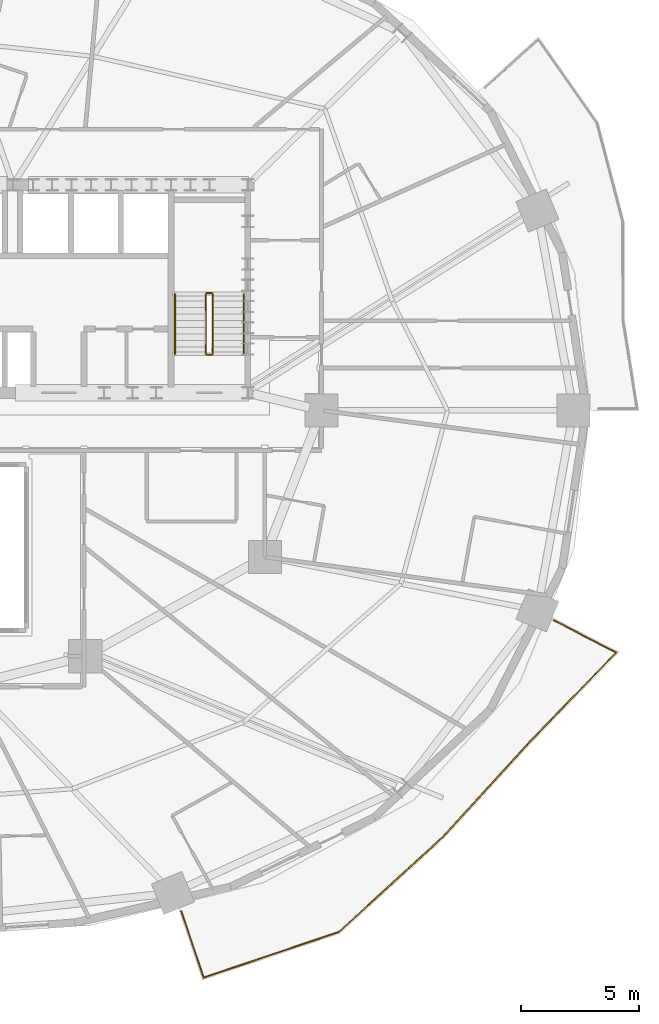
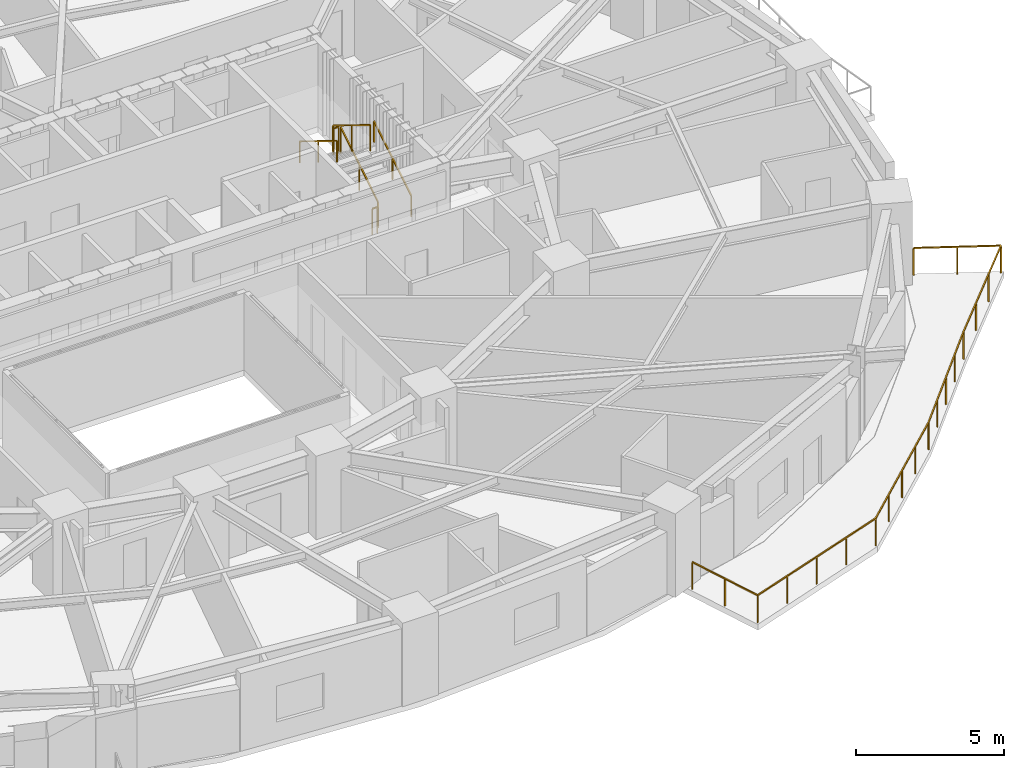
# One storey, part 15 of 16: 7 railings.
"""IFC4 building model written with IfcOpenShell, lengths in metres."""

from ifc_helpers import new_model, si_unit, direction, frame, origin, origin_2d, place, context, subcontext, project, spatial, rectangle, extrude, material, type_object, element, save


model = new_model("IFC4")

# Units and contexts
model_context = context("Model", 3, precision=1e-05, world=origin(), true_north=direction((0.0, 1.0)))
body_context = subcontext(model_context, "Body", "Model", "MODEL_VIEW")
ifc_project = project(units=[si_unit("LENGTHUNIT", "METRE"), si_unit("AREAUNIT", "SQUARE_METRE"), si_unit("VOLUMEUNIT", "CUBIC_METRE"), si_unit("PLANEANGLEUNIT", "RADIAN"), si_unit("MASSUNIT", "GRAM", prefix="KILO")], contexts=[model_context])

# Site, building, storey
site_placement = place(None, origin())
site = spatial("IfcSite", under=ifc_project, at=site_placement, CompositionType="ELEMENT")
building_placement = place(site_placement, origin())
building = spatial("IfcBuilding", under=site, at=building_placement, Name="Haldorwick Loom Tower", CompositionType="ELEMENT")
storey_placement = place(building_placement, frame((0.0, 0.0, 88.699951171875)))
storey = spatial("IfcBuildingStorey", under=building, at=storey_placement, Name="L23", CompositionType="ELEMENT", Elevation=88.699951171875)

# Railings
ifc_material_1 = material(Name="Galvanized Steel CSA G40.21 350W", Category="steel")
railing_type_1 = type_object("IfcRailingType", Name="ARC-RLG-BAL115", PredefinedType="BALUSTRADE", material=ifc_material_1)
railing_1_placement = place(storey_placement, frame((63.02685546875, 17.119384765625, 0.0)))
element("IfcRailing", 1, at=railing_1_placement, inside=storey, type_object=railing_type_1, Name="L23 Outdoor Terrace Guardrail SLB-L23-BAL_SE-1", PredefinedType="BALUSTRADE", context=body_context, shape_type="SweptSolid", body=[
    extrude(rectangle(XDim=0.048095703125, YDim=0.048095703125, at=origin_2d()), frame((0.0, 0.0, 1.1259765625), z_axis=(0.888522136362, -0.458833753331, 0.0), x_axis=(0.458833753331, 0.888522136362, 0.0)), (0.0, 0.0, 1.0), 2.96533203125),
    extrude(rectangle(XDim=0.048095703125, YDim=0.048095703125, at=origin_2d()), frame((2.634765625, -1.360595703125, 1.1259765625), z_axis=(-0.694679962098, -0.719318948909, 0.0), x_axis=(0.719318948909, -0.694679962098, 0.0)), (0.0, 0.0, 1.0), 5.251708984375),
    extrude(rectangle(XDim=0.048095703125, YDim=0.048095703125, at=origin_2d()), frame((-1.013427734375, -5.13818359375, 1.1259765625), z_axis=(-0.707106781187, -0.707106781187, 0.0), x_axis=(0.707106781187, -0.707106781187, 0.0)), (0.0, 0.0, 1.0), 0.001953125),
    extrude(rectangle(XDim=0.048095703125, YDim=0.048095703125, at=origin_2d()), frame((-1.014892578125, -5.1396484375, 1.1259765625), z_axis=(-0.675251329949, -0.737587717768, 0.0), x_axis=(0.737587717768, -0.675251329949, 0.0)), (0.0, 0.0, 1.0), 5.467529296875),
    extrude(rectangle(XDim=0.048095703125, YDim=0.048095703125, at=origin_2d()), frame((-4.706787109375, -9.17236328125, 1.1259765625), z_axis=(-0.73778494617, -0.675035831053, 0.0), x_axis=(0.675035831053, -0.73778494617, 0.0)), (0.0, 0.0, 1.0), 5.941162109375),
    extrude(rectangle(XDim=0.048095703125, YDim=0.048095703125, at=origin_2d()), frame((-9.090087890625, -13.182861328125, 1.1259765625), z_axis=(-0.947542872121, -0.319628699419, 0.0), x_axis=(0.319628699419, -0.947542872121, 0.0)), (0.0, 0.0, 1.0), 6.0478515625),
    extrude(rectangle(XDim=0.048095703125, YDim=0.048095703125, at=origin_2d()), frame((-14.82080078125, -15.115966796875, 1.1259765625), z_axis=(-0.316574811994, 0.948567545518, 0.0), x_axis=(-0.948567545518, -0.316574811994, 0.0)), (0.0, 0.0, 1.0), 2.954345703125),
    extrude(rectangle(XDim=0.0419921875, YDim=0.0419921875, at=origin_2d()), origin(), (0.0, 0.0, 1.0), 1.101806640625),
    extrude(rectangle(XDim=0.0419921875, YDim=0.0419921875, at=origin_2d()), frame((1.3173828125, -0.68017578125, 0.0)), (0.0, 0.0, 1.0), 1.101806640625),
    extrude(rectangle(XDim=0.0419921875, YDim=0.0419921875, at=origin_2d()), frame((2.634765625, -1.360595703125, 0.0)), (0.0, 0.0, 1.0), 1.101806640625),
    extrude(rectangle(XDim=0.0419921875, YDim=0.0419921875, at=origin_2d()), frame((1.418701171875, -2.619873046875, 0.0)), (0.0, 0.0, 1.0), 1.101806640625),
    extrude(rectangle(XDim=0.0419921875, YDim=0.0419921875, at=origin_2d()), frame((0.20263671875, -3.87890625, 0.0)), (0.0, 0.0, 1.0), 1.101806640625),
    extrude(rectangle(XDim=0.0419921875, YDim=0.0419921875, at=origin_2d()), frame((-1.013427734375, -5.13818359375, 0.0)), (0.0, 0.0, 1.0), 1.101806640625),
    extrude(rectangle(XDim=0.0419921875, YDim=0.0419921875, at=origin_2d()), frame((-1.93798828125, -6.14794921875, 0.0)), (0.0, 0.0, 1.0), 1.101806640625),
    extrude(rectangle(XDim=0.0419921875, YDim=0.0419921875, at=origin_2d()), frame((-2.86083984375, -7.156005859375, 0.0)), (0.0, 0.0, 1.0), 1.101806640625),
    extrude(rectangle(XDim=0.0419921875, YDim=0.0419921875, at=origin_2d()), frame((-3.78369140625, -8.1640625, 0.0)), (0.0, 0.0, 1.0), 1.101806640625),
    extrude(rectangle(XDim=0.0419921875, YDim=0.0419921875, at=origin_2d()), frame((-4.706787109375, -9.17236328125, 0.0)), (0.0, 0.0, 1.0), 1.101806640625),
    extrude(rectangle(XDim=0.0419921875, YDim=0.0419921875, at=origin_2d()), frame((-5.802734375, -10.175048828125, 0.0)), (0.0, 0.0, 1.0), 1.101806640625),
    extrude(rectangle(XDim=0.0419921875, YDim=0.0419921875, at=origin_2d()), frame((-6.8984375, -11.177734375, 0.0)), (0.0, 0.0, 1.0), 1.101806640625),
    extrude(rectangle(XDim=0.0419921875, YDim=0.0419921875, at=origin_2d()), frame((-7.994140625, -12.18017578125, 0.0)), (0.0, 0.0, 1.0), 1.101806640625),
    extrude(rectangle(XDim=0.0419921875, YDim=0.0419921875, at=origin_2d()), frame((-9.090087890625, -13.182861328125, 0.0)), (0.0, 0.0, 1.0), 1.101806640625),
    extrude(rectangle(XDim=0.0419921875, YDim=0.0419921875, at=origin_2d()), frame((-10.522705078125, -13.666015625, 0.0)), (0.0, 0.0, 1.0), 1.101806640625),
    extrude(rectangle(XDim=0.0419921875, YDim=0.0419921875, at=origin_2d()), frame((-11.95556640625, -14.1494140625, 0.0)), (0.0, 0.0, 1.0), 1.101806640625),
    extrude(rectangle(XDim=0.0419921875, YDim=0.0419921875, at=origin_2d()), frame((-13.38818359375, -14.6328125, 0.0)), (0.0, 0.0, 1.0), 1.101806640625),
    extrude(rectangle(XDim=0.0419921875, YDim=0.0419921875, at=origin_2d()), frame((-14.82080078125, -15.115966796875, 0.0)), (0.0, 0.0, 1.0), 1.101806640625),
    extrude(rectangle(XDim=0.0419921875, YDim=0.0419921875, at=origin_2d()), frame((-15.28857421875, -13.71484375, 0.0)), (0.0, 0.0, 1.0), 1.101806640625),
    extrude(rectangle(XDim=0.0419921875, YDim=0.0419921875, at=origin_2d()), frame((-15.756103515625, -12.3134765625, 0.0)), (0.0, 0.0, 1.0), 1.101806640625),
])
ifc_material_2 = material(Name="Steel CSA G40.21 350W", Category="steel")
railing_type_2 = type_object("IfcRailingType", Name="ARC-RLG-GUARD112", PredefinedType="GUARDRAIL", material=ifc_material_2)
railing_2_placement = place(storey_placement, frame((48.60009765625, 28.39990234375, 0.172607421875)))
element("IfcRailing", 2, at=railing_2_placement, inside=storey, type_object=railing_type_2, Name="L23 ST-02 stair guard 1", PredefinedType="GUARDRAIL", context=body_context, shape_type="SweptSolid", body=[
    extrude(rectangle(XDim=0.048095703125, YDim=0.048095703125, at=origin_2d()), frame((0.0, 0.0, 1.076171875), z_axis=(0.0, 0.851400495292, 0.524516154772), x_axis=(-1.0, 0.0, 0.0)), (0.0, 0.0, 1.0), 2.9599609375),
    extrude(rectangle(XDim=0.0419921875, YDim=0.0419921875, at=origin_2d()), origin(), (0.0, 0.0, 1.0), 1.052001953125),
    extrude(rectangle(XDim=0.0419921875, YDim=0.0419921875, at=origin_2d()), frame((0.0, 1.260009765625, 0.7763671875)), (0.0, 0.0, 1.0), 1.052001953125),
    extrude(rectangle(XDim=0.0419921875, YDim=0.0419921875, at=origin_2d()), frame((0.0, 2.52001953125, 1.552490234375)), (0.0, 0.0, 1.0), 1.052001953125),
])
railing_3_placement = place(storey_placement, frame((48.550048828125, 30.969970703125, 1.72509765625)))
element("IfcRailing", 3, at=railing_3_placement, inside=storey, type_object=railing_type_2, Name="L23 ST-02 stair guard 2", PredefinedType="GUARDRAIL", context=body_context, shape_type="SweptSolid", body=[
    extrude(rectangle(XDim=0.048095703125, YDim=0.048095703125, at=origin_2d()), frame((0.0, 0.0, 1.076171875), z_axis=(-1.0, 0.0, 0.0), x_axis=(0.0, -1.0, 0.0)), (0.0, 0.0, 1.0), 0.199951171875),
    extrude(rectangle(XDim=0.0419921875, YDim=0.0419921875, at=origin_2d()), origin(), (0.0, 0.0, 1.0), 1.052001953125),
    extrude(rectangle(XDim=0.0419921875, YDim=0.0419921875, at=origin_2d()), frame((-0.199951171875, 0.0, 0.0)), (0.0, 0.0, 1.0), 1.052001953125),
])
railing_4_placement = place(storey_placement, frame((48.300048828125, 30.919921875, 1.8974609375)))
element("IfcRailing", 4, at=railing_4_placement, inside=storey, type_object=railing_type_2, Name="L23 ST-02 stair guard 3", PredefinedType="GUARDRAIL", context=body_context, shape_type="SweptSolid", body=[
    extrude(rectangle(XDim=0.048095703125, YDim=0.048095703125, at=origin_2d()), frame((0.0, 0.0, 1.076171875), z_axis=(0.0, -0.851400495292, 0.524516154772), x_axis=(1.0, 0.0, 0.0)), (0.0, 0.0, 1.0), 2.9599609375),
    extrude(rectangle(XDim=0.0419921875, YDim=0.0419921875, at=origin_2d()), origin(), (0.0, 0.0, 1.0), 1.052001953125),
    extrude(rectangle(XDim=0.0419921875, YDim=0.0419921875, at=origin_2d()), frame((0.0, -1.260009765625, 0.7763671875)), (0.0, 0.0, 1.0), 1.052001953125),
    extrude(rectangle(XDim=0.0419921875, YDim=0.0419921875, at=origin_2d()), frame((0.0, -2.52001953125, 1.552490234375)), (0.0, 0.0, 1.0), 1.052001953125),
])
railing_5_placement = place(storey_placement, frame((48.550048828125, 28.35009765625, 0.0)))
element("IfcRailing", 5, at=railing_5_placement, inside=storey, type_object=railing_type_2, Name="L23 ST-02 stair guard 4", PredefinedType="GUARDRAIL", context=body_context, shape_type="SweptSolid", body=[
    extrude(rectangle(XDim=0.048095703125, YDim=0.048095703125, at=origin_2d()), frame((0.0, 0.0, 1.076171875), z_axis=(-1.0, 0.0, 0.0), x_axis=(0.0, -1.0, 0.0)), (0.0, 0.0, 1.0), 0.199951171875),
    extrude(rectangle(XDim=0.0419921875, YDim=0.0419921875, at=origin_2d()), origin(), (0.0, 0.0, 1.0), 1.052001953125),
    extrude(rectangle(XDim=0.0419921875, YDim=0.0419921875, at=origin_2d()), frame((-0.199951171875, 0.0, 0.0)), (0.0, 0.0, 1.0), 1.052001953125),
])
railing_type_3 = type_object("IfcRailingType", Name="ARC-RLG-HAND092", PredefinedType="HANDRAIL", material=ifc_material_2)
railing_6_placement = place(storey_placement, frame((49.89990234375, 28.39990234375, 0.172607421875)))
element("IfcRailing", 6, at=railing_6_placement, inside=storey, type_object=railing_type_3, Name="L23 ST-02 stair handrail 1", PredefinedType="HANDRAIL", context=body_context, shape_type="SweptSolid", body=[
    extrude(rectangle(XDim=0.048095703125, YDim=0.048095703125, at=origin_2d()), frame((0.0, 0.0, 0.8759765625), z_axis=(0.0, 0.851400495292, 0.524516154772), x_axis=(-1.0, 0.0, 0.0)), (0.0, 0.0, 1.0), 2.9599609375),
    extrude(rectangle(XDim=0.0419921875, YDim=0.0419921875, at=origin_2d()), origin(), (0.0, 0.0, 1.0), 0.851806640625),
    extrude(rectangle(XDim=0.0419921875, YDim=0.0419921875, at=origin_2d()), frame((0.0, 1.260009765625, 0.7763671875)), (0.0, 0.0, 1.0), 0.851806640625),
    extrude(rectangle(XDim=0.0419921875, YDim=0.0419921875, at=origin_2d()), frame((0.0, 2.52001953125, 1.552490234375)), (0.0, 0.0, 1.0), 0.851806640625),
])
railing_7_placement = place(storey_placement, frame((47.0, 30.919921875, 1.8974609375)))
element("IfcRailing", 7, at=railing_7_placement, inside=storey, type_object=railing_type_3, Name="L23 ST-02 stair handrail 2", PredefinedType="HANDRAIL", context=body_context, shape_type="SweptSolid", body=[
    extrude(rectangle(XDim=0.048095703125, YDim=0.048095703125, at=origin_2d()), frame((0.0, 0.0, 0.8759765625), z_axis=(0.0, -0.851400495292, 0.524516154772), x_axis=(1.0, 0.0, 0.0)), (0.0, 0.0, 1.0), 2.9599609375),
    extrude(rectangle(XDim=0.0419921875, YDim=0.0419921875, at=origin_2d()), origin(), (0.0, 0.0, 1.0), 0.851806640625),
    extrude(rectangle(XDim=0.0419921875, YDim=0.0419921875, at=origin_2d()), frame((0.0, -1.260009765625, 0.7763671875)), (0.0, 0.0, 1.0), 0.851806640625),
    extrude(rectangle(XDim=0.0419921875, YDim=0.0419921875, at=origin_2d()), frame((0.0, -2.52001953125, 1.552490234375)), (0.0, 0.0, 1.0), 0.851806640625),
])

save(model, "model.ifc")
